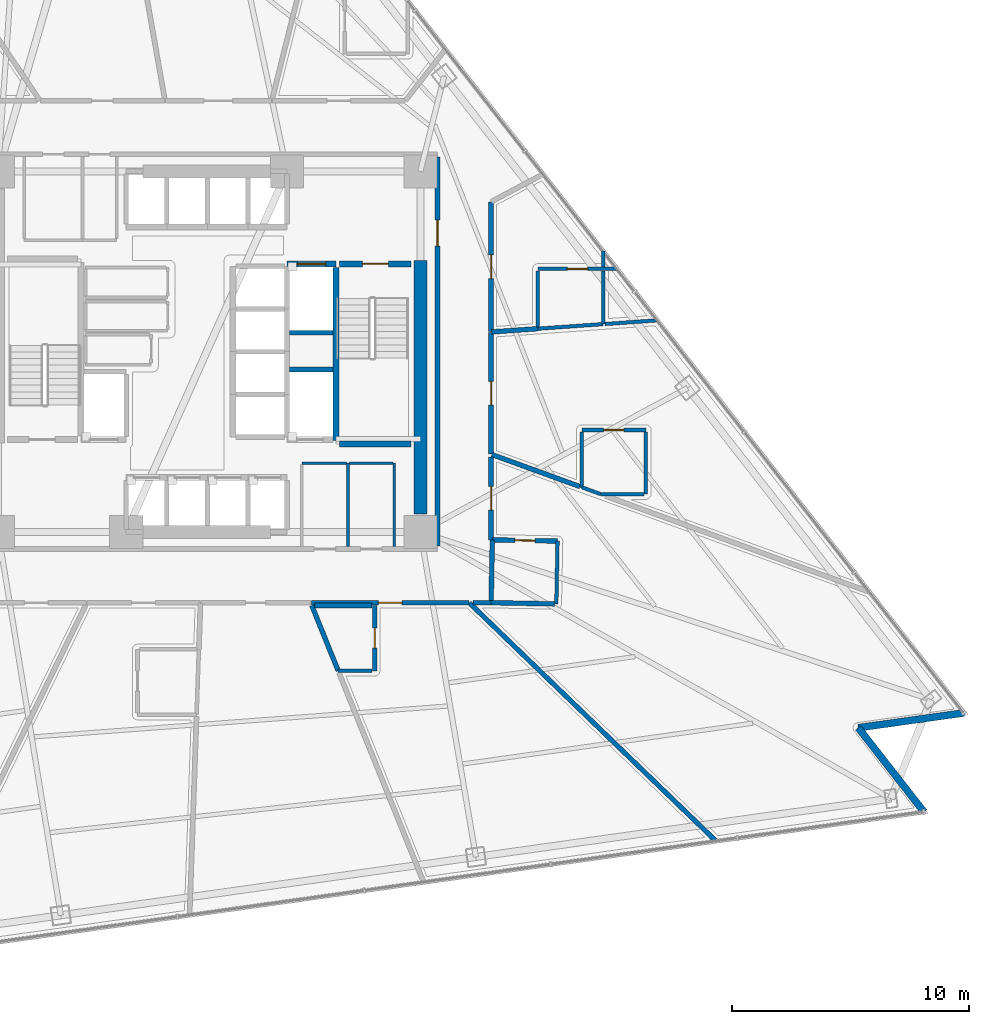
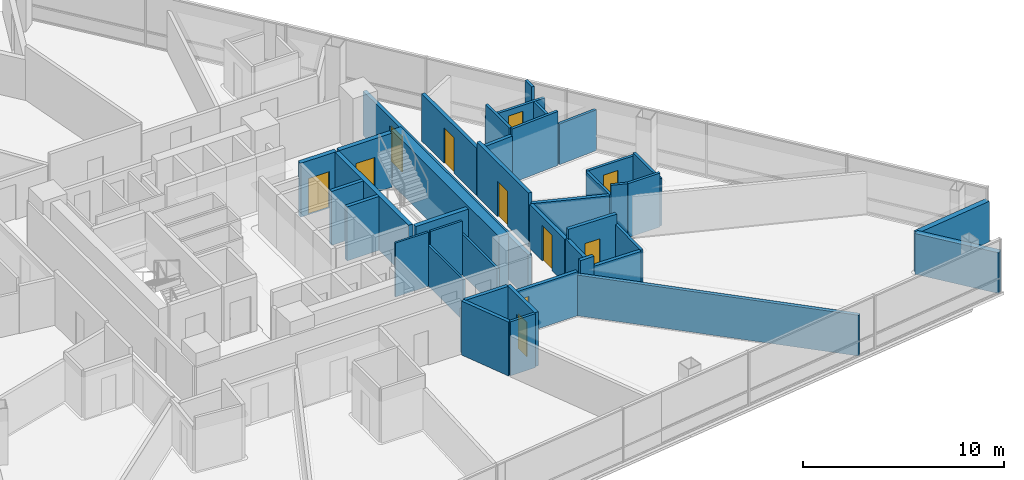
# One storey, part 9 of 16: 41 walls, 11 doors, 11 openings.
"""IFC4 building model written with IfcOpenShell, lengths in metres."""

from ifc_helpers import new_model, si_unit, direction, frame, frame_2d, origin, place, context, subcontext, project, spatial, rectangle, extrude, material, layer, layer_set, type_object, element, fill, save


model = new_model("IFC4")

# Units and contexts
model_context = context("Model", 3, precision=1e-05, world=origin(), true_north=direction((0.0, 1.0)))
body_context = subcontext(model_context, "Body", "Model", "MODEL_VIEW")
ifc_project = project(units=[si_unit("LENGTHUNIT", "METRE"), si_unit("AREAUNIT", "SQUARE_METRE"), si_unit("VOLUMEUNIT", "CUBIC_METRE"), si_unit("PLANEANGLEUNIT", "RADIAN"), si_unit("MASSUNIT", "GRAM", prefix="KILO")], contexts=[model_context])

# Site, building, storey
site_placement = place(None, origin())
site = spatial("IfcSite", under=ifc_project, at=site_placement, CompositionType="ELEMENT")
building_placement = place(site_placement, origin())
building = spatial("IfcBuilding", under=site, at=building_placement, Name="Tharavind Bronze Gate", CompositionType="ELEMENT")
storey_placement = place(building_placement, frame((0.0, 0.0, 70.75)))
storey = spatial("IfcBuildingStorey", under=building, at=storey_placement, Name="L17", CompositionType="ELEMENT", Elevation=70.75)

# Walls
ifc_material_1 = material(Name="Concrete C40/50", Category="concrete")
ifc_layer_1 = layer(ifc_material_1, 0.300048828125)
ifc_layer_set_1 = layer_set([ifc_layer_1], Name="Concrete C40/50")
wall_type_1 = type_object("IfcWallType", Name="EXTERIOR SPANDREL WALL 300", PredefinedType="STANDARD", material=ifc_layer_set_1)
wall_1_placement = place(storey_placement, frame((30.127685546875, -19.399169921875, 0.0), z_axis=(0.0, 0.0, 1.0), x_axis=(-0.615621932091, 0.78804164657, 0.0)))
element("IfcWall", 1, at=wall_1_placement, inside=storey, type_object=wall_type_1, Name="L17 notch cheek wall 3A", PredefinedType="STANDARD", context=body_context, shape_type="SweptSolid", body=[
    extrude(rectangle(XDim=4.5, YDim=0.300048828125, at=frame_2d((2.25, 0.0))), origin(), (0.0, 0.0, 1.0), 2.469970703125),
])
wall_2_placement = place(storey_placement, frame((27.357421875, -15.85302734375, 0.0), z_axis=(0.0, 0.0, 1.0), x_axis=(0.990269200152, 0.139165050317, 0.0)))
element("IfcWall", 2, at=wall_2_placement, inside=storey, type_object=wall_type_1, Name="L17 notch cheek wall 3B", PredefinedType="STANDARD", context=body_context, shape_type="SweptSolid", body=[
    extrude(rectangle(XDim=4.499755859375, YDim=0.300048828125, at=frame_2d((2.25, 0.0))), origin(), (0.0, 0.0, 1.0), 2.469970703125),
])

# Wall, opening, door
ifc_material_2 = material(Name="Aerated Concrete Block", Category="concrete")
ifc_layer_2 = layer(ifc_material_2, 0.199951171875)
ifc_layer_set_2 = layer_set([ifc_layer_2], Name="Aerated Concrete Block")
wall_type_2 = type_object("IfcWallType", Name="FIRE RATED PARTITION 200", PredefinedType="PARTITIONING", material=ifc_layer_set_2)
wall_3_placement = place(storey_placement, frame((9.6201171875, -8.199951171875, 0.0), z_axis=(0.0, 0.0, 1.0), x_axis=(0.0, 1.0, 0.0)))
wall_3 = element("IfcWall", 3, at=wall_3_placement, inside=storey, type_object=wall_type_2, Name="L17 east core corridor wall", PredefinedType="PARTITIONING", context=body_context, shape_type="SweptSolid", body=[
    extrude(rectangle(XDim=16.39990234375, YDim=0.199951171875, at=frame_2d((8.199951171875, 0.0))), origin(), (0.0, 0.0, 1.0), 2.669921875),
])
opening_1_placement = place(wall_3_placement, frame((12.64990234375, 0.0, 0.0)))
opening_1 = element("IfcOpeningElement", 4, at=opening_1_placement, cuts=wall_3, Name="Opening ID01", PredefinedType="OPENING", context=body_context, shape_type="SweptSolid", body=[
    extrude(rectangle(XDim=1.10009765625, YDim=2.14990234375, at=frame_2d((0.550048828125, 1.074951171875))), frame((0.0, 0.11009765625, 0.0), z_axis=(0.0, -1.0, 0.0), x_axis=(1.0, 0.0, 0.0)), (0.0, 0.0, 1.0), 0.219951171875),
])
ifc_material_3 = material(Name="Fire-Rated Steel", Category="steel")
door_type_1 = type_object("IfcDoorType", Name="STAIR CORE FIRE DOOR 1100X2150", OperationType="SINGLE_SWING_LEFT", PredefinedType="DOOR", material=ifc_material_3)
door_1_placement = place(opening_1_placement, frame((1.10009765625, 0.0, 0.0), z_axis=(0.0, 0.0, 1.0), x_axis=(-1.0, 0.0, 0.0)))
door_1 = element("IfcDoor", 5, at=door_1_placement, inside=storey, type_object=door_type_1, Name="L17 north east stair lobby fire door", OperationType="SINGLE_SWING_LEFT", OverallHeight=2.14990234375, OverallWidth=1.10009765625, PredefinedType="DOOR", context=body_context, shape_type="SweptSolid", body=[
    extrude(rectangle(XDim=1.10009765625, YDim=2.14990234375, at=frame_2d((0.550048828125, 1.074951171875))), frame((0.0, 0.02490234375, 0.0), z_axis=(0.0, -1.0, 0.0), x_axis=(1.0, 0.0, 0.0)), (0.0, 0.0, 1.0), 0.050048828125),
])
fill(opening_1, door_1)

wall_4_placement = place(storey_placement, frame((6.97314453125, -10.699951171875, 0.0), z_axis=(0.0, 0.0, 1.0), x_axis=(0.0, -1.0, 0.0)))
wall_4 = element("IfcWall", 6, at=wall_4_placement, inside=storey, type_object=wall_type_2, Name="L17 En-Suite Bathroom partition", PredefinedType="PARTITIONING", context=body_context, shape_type="SweptSolid", body=[
    extrude(rectangle(XDim=2.75, YDim=0.199951171875, at=frame_2d((1.375, 0.0))), origin(), (0.0, 0.0, 1.0), 3.27490234375),
])
opening_2_placement = place(wall_4_placement, frame((0.949951171875, 0.0, 0.0)))
opening_2 = element("IfcOpeningElement", 7, at=opening_2_placement, cuts=wall_4, Name="Opening ID06", PredefinedType="OPENING", context=body_context, shape_type="SweptSolid", body=[
    extrude(rectangle(XDim=0.85009765625, YDim=2.10009765625, at=frame_2d((0.425048828125, 1.050048828125))), frame((0.0, 0.11009765625, 0.0), z_axis=(0.0, -1.0, 0.0), x_axis=(1.0, 0.0, 0.0)), (0.0, 0.0, 1.0), 0.219951171875),
])
ifc_material_4 = material(Name="Moisture-Resistant Timber", Category="wood")
door_type_2 = type_object("IfcDoorType", Name="BATHROOM PRIVACY DOOR 850X2100", OperationType="SINGLE_SWING_RIGHT", PredefinedType="DOOR", material=ifc_material_4)
door_2_placement = place(opening_2_placement, origin())
door_2 = element("IfcDoor", 8, at=door_2_placement, inside=storey, type_object=door_type_2, Name="L17 En-Suite Bathroom door", OperationType="SINGLE_SWING_RIGHT", OverallHeight=2.10009765625, OverallWidth=0.85009765625, PredefinedType="DOOR", context=body_context, shape_type="SweptSolid", body=[
    extrude(rectangle(XDim=0.85009765625, YDim=2.10009765625, at=frame_2d((0.425048828125, 1.050048828125))), frame((0.0, 0.02490234375, 0.0), z_axis=(0.0, -1.0, 0.0), x_axis=(1.0, 0.0, 0.0)), (0.0, 0.0, 1.0), 0.050048828125),
])
fill(opening_2, door_2)

# Walls
wall_5_placement = place(storey_placement, frame((5.43408203125, -13.449951171875, 0.0), z_axis=(0.0, 0.0, 1.0), x_axis=(-0.374610031927, 0.927182465311, 0.0)))
element("IfcWall", 9, at=wall_5_placement, inside=storey, type_object=wall_type_2, Name="L17 En-Suite Bathroom partition", PredefinedType="PARTITIONING", context=body_context, shape_type="SweptSolid", body=[
    extrude(rectangle(XDim=2.966064453125, YDim=0.199951171875, at=frame_2d((1.48291015625, 0.0))), origin(), (0.0, 0.0, 1.0), 3.27490234375),
])
wall_6_placement = place(storey_placement, frame((4.436279296875, -10.699951171875, 0.0), z_axis=(0.0, 0.0, 1.0), x_axis=(1.0, 0.0, 0.0)))
element("IfcWall", 10, at=wall_6_placement, inside=storey, type_object=wall_type_2, Name="L17 En-Suite Bathroom partition", PredefinedType="PARTITIONING", context=body_context, shape_type="SweptSolid", body=[
    extrude(rectangle(XDim=2.431884765625, YDim=0.199951171875, at=frame_2d((1.2158203125, 0.0))), origin(), (0.0, 0.0, 1.0), 3.27490234375),
])

# Wall, opening, door
wall_7_placement = place(storey_placement, frame((11.93115234375, -7.930419921875, 0.0), z_axis=(0.0, 0.0, 1.0), x_axis=(0.999812703389, -0.019353504647, 0.0)))
wall_7 = element("IfcWall", 11, at=wall_7_placement, inside=storey, type_object=wall_type_2, Name="L17 En-Suite Bathroom partition", PredefinedType="PARTITIONING", context=body_context, shape_type="SweptSolid", body=[
    extrude(rectangle(XDim=2.75, YDim=0.199951171875, at=frame_2d((1.375, 0.0))), origin(), (0.0, 0.0, 1.0), 3.27490234375),
])
opening_3_placement = place(wall_7_placement, frame((0.949951171875, 0.0, 0.0)))
opening_3 = element("IfcOpeningElement", 12, at=opening_3_placement, cuts=wall_7, Name="Opening ID06", PredefinedType="OPENING", context=body_context, shape_type="SweptSolid", body=[
    extrude(rectangle(XDim=0.85009765625, YDim=2.10009765625, at=frame_2d((0.425048828125, 1.050048828125))), frame((0.0, 0.11009765625, 0.0), z_axis=(0.0, -1.0, 0.0), x_axis=(1.0, 0.0, 0.0)), (0.0, 0.0, 1.0), 0.219951171875),
])
door_3_placement = place(opening_3_placement, origin())
door_3 = element("IfcDoor", 13, at=door_3_placement, inside=storey, type_object=door_type_2, Name="L17 En-Suite Bathroom door", OperationType="SINGLE_SWING_RIGHT", OverallHeight=2.10009765625, OverallWidth=0.85009765625, PredefinedType="DOOR", context=body_context, shape_type="SweptSolid", body=[
    extrude(rectangle(XDim=0.85009765625, YDim=2.10009765625, at=frame_2d((0.425048828125, 1.050048828125))), frame((0.0, 0.02490234375, 0.0), z_axis=(0.0, -1.0, 0.0), x_axis=(1.0, 0.0, 0.0)), (0.0, 0.0, 1.0), 0.050048828125),
])
fill(opening_3, door_3)

# Walls
wall_8_placement = place(storey_placement, frame((14.549560546875, -10.631591796875, 0.0), z_axis=(0.0, 0.0, 1.0), x_axis=(-0.999813887268, 0.019292247848, 0.0)))
element("IfcWall", 14, at=wall_8_placement, inside=storey, type_object=wall_type_2, Name="L17 En-Suite Bathroom partition", PredefinedType="PARTITIONING", context=body_context, shape_type="SweptSolid", body=[
    extrude(rectangle(XDim=2.670166015625, YDim=0.199951171875, at=frame_2d((1.3349609375, 0.0))), origin(), (0.0, 0.0, 1.0), 2.669921875),
])
wall_9_placement = place(storey_placement, frame((11.8798828125, -10.57861328125, 0.0), z_axis=(0.0, 0.0, 1.0), x_axis=(0.019356564513, 0.999812644154, 0.0)))
element("IfcWall", 15, at=wall_9_placement, inside=storey, type_object=wall_type_2, Name="L17 En-Suite Bathroom partition", PredefinedType="PARTITIONING", context=body_context, shape_type="SweptSolid", body=[
    extrude(rectangle(XDim=2.648681640625, YDim=0.199951171875, at=frame_2d((1.32421875, 0.0))), origin(), (0.0, 0.0, 1.0), 2.669921875),
])
wall_10_placement = place(storey_placement, frame((13.85009765625, 0.968505859375, 0.0), z_axis=(0.0, 0.0, 1.0), x_axis=(-0.997560712778, -0.069804185555, 0.0)))
element("IfcWall", 16, at=wall_10_placement, inside=storey, type_object=wall_type_2, Name="L17 Royal Hotel Suite partition", PredefinedType="PARTITIONING", context=body_context, shape_type="SweptSolid", body=[
    extrude(rectangle(XDim=1.947998046875, YDim=0.199951171875, at=frame_2d((0.97412109375, 0.0))), origin(), (0.0, 0.0, 1.0), 2.8701171875),
])

# Wall, opening, door
wall_11_placement = place(storey_placement, frame((11.8798828125, 0.857421875, 0.0), z_axis=(0.0, 0.0, 1.0), x_axis=(0.0, 1.0, 0.0)))
wall_11 = element("IfcWall", 17, at=wall_11_placement, inside=storey, type_object=wall_type_2, Name="L17 Royal Hotel Suite partition", PredefinedType="PARTITIONING", context=body_context, shape_type="SweptSolid", body=[
    extrude(rectangle(XDim=5.4443359375, YDim=0.199951171875, at=frame_2d((2.72216796875, 0.0))), origin(), (0.0, 0.0, 1.0), 2.8701171875),
])
opening_4_placement = place(wall_11_placement, frame((2.221923828125, 0.0, 0.0)))
opening_4 = element("IfcOpeningElement", 18, at=opening_4_placement, cuts=wall_11, Name="Opening ID03", PredefinedType="OPENING", context=body_context, shape_type="SweptSolid", body=[
    extrude(rectangle(XDim=1.0, YDim=2.14990234375, at=frame_2d((0.5, 1.074951171875))), frame((0.0, 0.11009765625, 0.0), z_axis=(0.0, -1.0, 0.0), x_axis=(1.0, 0.0, 0.0)), (0.0, 0.0, 1.0), 0.219951171875),
])
ifc_material_5 = material(Name="Solid Timber Veneer", Category="wood")
door_type_3 = type_object("IfcDoorType", Name="HOTEL SUITE ENTRANCE DOOR 1000X2150", OperationType="SINGLE_SWING_LEFT", PredefinedType="DOOR", material=ifc_material_5)
door_4_placement = place(opening_4_placement, origin())
door_4 = element("IfcDoor", 19, at=door_4_placement, inside=storey, type_object=door_type_3, Name="L17 Royal Hotel Suite door", OperationType="SINGLE_SWING_LEFT", OverallHeight=2.14990234375, OverallWidth=1.0, PredefinedType="DOOR", context=body_context, shape_type="SweptSolid", body=[
    extrude(rectangle(XDim=1.0, YDim=2.14990234375, at=frame_2d((0.5, 1.074951171875))), frame((0.0, 0.02490234375, 0.0), z_axis=(0.0, -1.0, 0.0), x_axis=(1.0, 0.0, 0.0)), (0.0, 0.0, 1.0), 0.050048828125),
])
fill(opening_4, door_4)

wall_12_placement = place(storey_placement, frame((4.311767578125, -10.580078125, 0.0), z_axis=(0.0, 0.0, 1.0), x_axis=(1.0, 0.0, 0.0)))
wall_12 = element("IfcWall", 20, at=wall_12_placement, inside=storey, type_object=wall_type_2, Name="L17 Corner Hotel Suite partition", PredefinedType="PARTITIONING", context=body_context, shape_type="SweptSolid", body=[
    extrude(rectangle(XDim=6.634033203125, YDim=0.199951171875, at=frame_2d((3.31689453125, 0.0))), origin(), (0.0, 0.0, 1.0), 2.669921875),
])
opening_5_placement = place(wall_12_placement, frame((2.81689453125, 0.0, 0.0)))
opening_5 = element("IfcOpeningElement", 21, at=opening_5_placement, cuts=wall_12, Name="Opening ID03", PredefinedType="OPENING", context=body_context, shape_type="SweptSolid", body=[
    extrude(rectangle(XDim=1.0, YDim=2.14990234375, at=frame_2d((0.5, 1.074951171875))), frame((0.0, 0.11009765625, 0.0), z_axis=(0.0, -1.0, 0.0), x_axis=(1.0, 0.0, 0.0)), (0.0, 0.0, 1.0), 0.219951171875),
])
door_5_placement = place(opening_5_placement, origin())
door_5 = element("IfcDoor", 22, at=door_5_placement, inside=storey, type_object=door_type_3, Name="L17 Corner Hotel Suite door", OperationType="SINGLE_SWING_LEFT", OverallHeight=2.14990234375, OverallWidth=1.0, PredefinedType="DOOR", context=body_context, shape_type="SweptSolid", body=[
    extrude(rectangle(XDim=1.0, YDim=2.14990234375, at=frame_2d((0.5, 1.074951171875))), frame((0.0, 0.02490234375, 0.0), z_axis=(0.0, -1.0, 0.0), x_axis=(1.0, 0.0, 0.0)), (0.0, 0.0, 1.0), 0.050048828125),
])
fill(opening_5, door_5)

# Walls
wall_13_placement = place(storey_placement, frame((10.963134765625, -10.5869140625, 0.0), z_axis=(0.0, 0.0, 1.0), x_axis=(0.719333957275, -0.694664421077, 0.0)))
element("IfcWall", 23, at=wall_13_placement, inside=storey, type_object=wall_type_2, Name="L17 Corner Hotel Suite partition", PredefinedType="PARTITIONING", context=body_context, shape_type="SweptSolid", body=[
    extrude(rectangle(XDim=14.458740234375, YDim=0.199951171875, at=frame_2d((7.2294921875, 0.0))), origin(), (0.0, 0.0, 1.0), 2.469970703125),
])
wall_14_placement = place(storey_placement, frame((11.91357421875, -4.336181640625, 0.0), z_axis=(0.0, 0.0, 1.0), x_axis=(0.939701284088, -0.341996340161, 0.0)))
element("IfcWall", 24, at=wall_14_placement, inside=storey, type_object=wall_type_2, Name="L17 Deluxe Hotel Suite partition", PredefinedType="PARTITIONING", context=body_context, shape_type="SweptSolid", body=[
    extrude(rectangle(XDim=3.947021484375, YDim=0.199951171875, at=frame_2d((1.9736328125, 0.0))), origin(), (0.0, 0.0, 1.0), 2.669921875),
])
wall_15_placement = place(storey_placement, frame((11.107177734375, -10.580078125, 0.0), z_axis=(0.0, 0.0, 1.0), x_axis=(1.0, 0.0, 0.0)))
element("IfcWall", 25, at=wall_15_placement, inside=storey, type_object=wall_type_2, Name="L17 Deluxe Hotel Suite partition", PredefinedType="PARTITIONING", context=body_context, shape_type="SweptSolid", body=[
    extrude(rectangle(XDim=0.772216796875, YDim=0.199951171875, at=frame_2d((0.38623046875, 0.0))), origin(), (0.0, 0.0, 1.0), 3.27490234375),
])

# Wall, opening, door
wall_16_placement = place(storey_placement, frame((11.8798828125, -7.929443359375, 0.0), z_axis=(0.0, 0.0, 1.0), x_axis=(0.0, 1.0, 0.0)))
wall_16 = element("IfcWall", 26, at=wall_16_placement, inside=storey, type_object=wall_type_2, Name="L17 Deluxe Hotel Suite partition", PredefinedType="PARTITIONING", context=body_context, shape_type="SweptSolid", body=[
    extrude(rectangle(XDim=3.49365234375, YDim=0.199951171875, at=frame_2d((1.746826171875, 0.0))), origin(), (0.0, 0.0, 1.0), 2.669921875),
])
opening_6_placement = place(wall_16_placement, frame((1.2470703125, 0.0, 0.0)))
opening_6 = element("IfcOpeningElement", 27, at=opening_6_placement, cuts=wall_16, Name="Opening ID03", PredefinedType="OPENING", context=body_context, shape_type="SweptSolid", body=[
    extrude(rectangle(XDim=1.0, YDim=2.14990234375, at=frame_2d((0.5, 1.074951171875))), frame((0.0, 0.11009765625, 0.0), z_axis=(0.0, -1.0, 0.0), x_axis=(1.0, 0.0, 0.0)), (0.0, 0.0, 1.0), 0.219951171875),
])
door_6_placement = place(opening_6_placement, origin())
door_6 = element("IfcDoor", 28, at=door_6_placement, inside=storey, type_object=door_type_3, Name="L17 Deluxe Hotel Suite door", OperationType="SINGLE_SWING_LEFT", OverallHeight=2.14990234375, OverallWidth=1.0, PredefinedType="DOOR", context=body_context, shape_type="SweptSolid", body=[
    extrude(rectangle(XDim=1.0, YDim=2.14990234375, at=frame_2d((0.5, 1.074951171875))), frame((0.0, 0.02490234375, 0.0), z_axis=(0.0, -1.0, 0.0), x_axis=(1.0, 0.0, 0.0)), (0.0, 0.0, 1.0), 0.050048828125),
])
fill(opening_6, door_6)

wall_17_placement = place(storey_placement, frame((11.8798828125, -4.306396484375, 0.0), z_axis=(0.0, 0.0, 1.0), x_axis=(0.0, 1.0, 0.0)))
wall_17 = element("IfcWall", 29, at=wall_17_placement, inside=storey, type_object=wall_type_2, Name="L17 Deluxe Hotel Suite partition", PredefinedType="PARTITIONING", context=body_context, shape_type="SweptSolid", body=[
    extrude(rectangle(XDim=5.11376953125, YDim=0.199951171875, at=frame_2d((2.556884765625, 0.0))), origin(), (0.0, 0.0, 1.0), 3.27490234375),
])
opening_7_placement = place(wall_17_placement, frame((2.056884765625, 0.0, 0.0)))
opening_7 = element("IfcOpeningElement", 30, at=opening_7_placement, cuts=wall_17, Name="Opening ID03", PredefinedType="OPENING", context=body_context, shape_type="SweptSolid", body=[
    extrude(rectangle(XDim=1.0, YDim=2.14990234375, at=frame_2d((0.5, 1.074951171875))), frame((0.0, 0.11009765625, 0.0), z_axis=(0.0, -1.0, 0.0), x_axis=(1.0, 0.0, 0.0)), (0.0, 0.0, 1.0), 0.219951171875),
])
door_7_placement = place(opening_7_placement, origin())
door_7 = element("IfcDoor", 31, at=door_7_placement, inside=storey, type_object=door_type_3, Name="L17 Deluxe Hotel Suite door", OperationType="SINGLE_SWING_LEFT", OverallHeight=2.14990234375, OverallWidth=1.0, PredefinedType="DOOR", context=body_context, shape_type="SweptSolid", body=[
    extrude(rectangle(XDim=1.0, YDim=2.14990234375, at=frame_2d((0.5, 1.074951171875))), frame((0.0, 0.02490234375, 0.0), z_axis=(0.0, -1.0, 0.0), x_axis=(1.0, 0.0, 0.0)), (0.0, 0.0, 1.0), 0.050048828125),
])
fill(opening_7, door_7)

# Walls
ifc_material_6 = material(Name="Metal Stud Gypsum Partition", Category="gypsum")
ifc_layer_3 = layer(ifc_material_6, 0.1201171875)
ifc_layer_set_3 = layer_set([ifc_layer_3], Name="Metal Stud Gypsum Partition")
wall_type_3 = type_object("IfcWallType", Name="INTERIOR PARTITION WALL 120", PredefinedType="PARTITIONING", material=ifc_layer_set_3)
wall_18_placement = place(storey_placement, frame((5.85009765625, -8.215087890625, 0.0), z_axis=(0.0, 0.0, 1.0), x_axis=(0.0, 1.0, 0.0)))
element("IfcWall", 32, at=wall_18_placement, inside=storey, type_object=wall_type_3, Name="L17 Comms Patch Room partition 2", PredefinedType="PARTITIONING", context=body_context, shape_type="SweptSolid", body=[
    extrude(rectangle(XDim=3.51513671875, YDim=0.1201171875, at=frame_2d((1.757568359375, 0.0))), origin(), (0.0, 0.0, 1.0), 2.469970703125),
])
wall_19_placement = place(storey_placement, frame((5.784912109375, -4.699951171875, 0.0), z_axis=(0.0, 0.0, 1.0), x_axis=(-1.0, 0.0, 0.0)))
element("IfcWall", 33, at=wall_19_placement, inside=storey, type_object=wall_type_3, Name="L17 Comms Patch Room partition 3", PredefinedType="PARTITIONING", context=body_context, shape_type="SweptSolid", body=[
    extrude(rectangle(XDim=1.885009765625, YDim=0.1201171875, at=frame_2d((0.9423828125, 0.0))), origin(), (0.0, 0.0, 1.0), 3.27490234375),
])
wall_20_placement = place(storey_placement, frame((7.800048828125, -8.215087890625, 0.0), z_axis=(0.0, 0.0, 1.0), x_axis=(0.0, 1.0, 0.0)))
element("IfcWall", 34, at=wall_20_placement, inside=storey, type_object=wall_type_3, Name="L17 Housekeeping Store partition 2", PredefinedType="PARTITIONING", context=body_context, shape_type="SweptSolid", body=[
    extrude(rectangle(XDim=3.51513671875, YDim=0.1201171875, at=frame_2d((1.757568359375, 0.0))), origin(), (0.0, 0.0, 1.0), 2.469970703125),
])
wall_21_placement = place(storey_placement, frame((7.735107421875, -4.699951171875, 0.0), z_axis=(0.0, 0.0, 1.0), x_axis=(-1.0, 0.0, 0.0)))
element("IfcWall", 35, at=wall_21_placement, inside=storey, type_object=wall_type_3, Name="L17 Housekeeping Store partition 3", PredefinedType="PARTITIONING", context=body_context, shape_type="SweptSolid", body=[
    extrude(rectangle(XDim=1.820068359375, YDim=0.1201171875, at=frame_2d((0.91015625, 0.0))), origin(), (0.0, 0.0, 1.0), 3.27490234375),
])

# Wall, opening, door
ifc_material_7 = material(Name="Twin Stud Acoustic Gypsum", Category="gypsum")
ifc_layer_4 = layer(ifc_material_7, 0.14990234375)
ifc_layer_set_4 = layer_set([ifc_layer_4], Name="Twin Stud Acoustic Gypsum")
wall_type_4 = type_object("IfcWallType", Name="INTERIOR PARTITION WALL 150", PredefinedType="PARTITIONING", material=ifc_layer_set_4)
wall_22_placement = place(storey_placement, frame((13.85009765625, 3.489013671875, 0.0), z_axis=(0.0, 0.0, 1.0), x_axis=(1.0, 0.0, 0.0)))
wall_22 = element("IfcWall", 36, at=wall_22_placement, inside=storey, type_object=wall_type_4, Name="L17 En-Suite Bathroom partition", PredefinedType="PARTITIONING", context=body_context, shape_type="SweptSolid", body=[
    extrude(rectangle(XDim=3.3408203125, YDim=0.14990234375, at=frame_2d((1.67041015625, 0.0))), origin(), (0.0, 0.0, 1.0), 2.469970703125),
])
opening_8_placement = place(wall_22_placement, frame((1.2451171875, 0.0, 0.0)))
opening_8 = element("IfcOpeningElement", 37, at=opening_8_placement, cuts=wall_22, Name="Opening ID06", PredefinedType="OPENING", context=body_context, shape_type="SweptSolid", body=[
    extrude(rectangle(XDim=0.85009765625, YDim=2.10009765625, at=frame_2d((0.425048828125, 1.050048828125))), frame((0.0, 0.084951171875, 0.0), z_axis=(0.0, -1.0, 0.0), x_axis=(1.0, 0.0, 0.0)), (0.0, 0.0, 1.0), 0.16990234375),
])
door_8_placement = place(opening_8_placement, origin())
door_8 = element("IfcDoor", 38, at=door_8_placement, inside=storey, type_object=door_type_2, Name="L17 En-Suite Bathroom door", OperationType="SINGLE_SWING_RIGHT", OverallHeight=2.10009765625, OverallWidth=0.85009765625, PredefinedType="DOOR", context=body_context, shape_type="SweptSolid", body=[
    extrude(rectangle(XDim=0.85009765625, YDim=2.10009765625, at=frame_2d((0.425048828125, 1.050048828125))), frame((0.0, 0.02490234375, 0.0), z_axis=(0.0, -1.0, 0.0), x_axis=(1.0, 0.0, 0.0)), (0.0, 0.0, 1.0), 0.050048828125),
])
fill(opening_8, door_8)

# Walls
wall_23_placement = place(storey_placement, frame((16.60009765625, 4.24560546875, 0.0), z_axis=(0.0, 0.0, 1.0), x_axis=(0.0, -1.0, 0.0)))
element("IfcWall", 39, at=wall_23_placement, inside=storey, type_object=wall_type_4, Name="L17 En-Suite Bathroom partition", PredefinedType="PARTITIONING", context=body_context, shape_type="SweptSolid", body=[
    extrude(rectangle(XDim=0.676513671875, YDim=0.14990234375, at=frame_2d((0.33837890625, 0.0))), origin(), (0.0, 0.0, 1.0), 3.27490234375),
])
wall_24_placement = place(storey_placement, frame((16.60009765625, 3.4091796875, 0.0), z_axis=(0.0, 0.0, 1.0), x_axis=(0.0, -1.0, 0.0)))
element("IfcWall", 40, at=wall_24_placement, inside=storey, type_object=wall_type_4, Name="L17 En-Suite Bathroom partition", PredefinedType="PARTITIONING", context=body_context, shape_type="SweptSolid", body=[
    extrude(rectangle(XDim=2.248291015625, YDim=0.14990234375, at=frame_2d((1.1240234375, 0.0))), origin(), (0.0, 0.0, 1.0), 2.469970703125),
])
wall_25_placement = place(storey_placement, frame((16.60009765625, 1.160888671875, 0.0), z_axis=(0.0, 0.0, 1.0), x_axis=(-0.997561927417, -0.069786825178, 0.0)))
element("IfcWall", 41, at=wall_25_placement, inside=storey, type_object=wall_type_4, Name="L17 En-Suite Bathroom partition", PredefinedType="PARTITIONING", context=body_context, shape_type="SweptSolid", body=[
    extrude(rectangle(XDim=2.7568359375, YDim=0.14990234375, at=frame_2d((1.37841796875, 0.0))), origin(), (0.0, 0.0, 1.0), 3.27490234375),
])
wall_26_placement = place(storey_placement, frame((13.85009765625, 1.048583984375, 0.0), z_axis=(0.0, 0.0, 1.0), x_axis=(0.0, 1.0, 0.0)))
element("IfcWall", 42, at=wall_26_placement, inside=storey, type_object=wall_type_4, Name="L17 En-Suite Bathroom partition", PredefinedType="PARTITIONING", context=body_context, shape_type="SweptSolid", body=[
    extrude(rectangle(XDim=2.360595703125, YDim=0.14990234375, at=frame_2d((1.18017578125, 0.0))), origin(), (0.0, 0.0, 1.0), 3.27490234375),
])
wall_27_placement = place(storey_placement, frame((6.8681640625, -13.449951171875, 0.0), z_axis=(0.0, 0.0, 1.0), x_axis=(-1.0, 0.0, 0.0)))
element("IfcWall", 43, at=wall_27_placement, inside=storey, type_object=wall_type_4, Name="L17 En-Suite Bathroom partition", PredefinedType="PARTITIONING", context=body_context, shape_type="SweptSolid", body=[
    extrude(rectangle(XDim=1.43408203125, YDim=0.14990234375, at=frame_2d((0.717041015625, 0.0))), origin(), (0.0, 0.0, 1.0), 3.27490234375),
])
wall_28_placement = place(storey_placement, frame((14.6806640625, -7.983642578125, 0.0), z_axis=(0.0, 0.0, 1.0), x_axis=(-0.01934764942, -0.999812816712, 0.0)))
element("IfcWall", 44, at=wall_28_placement, inside=storey, type_object=wall_type_4, Name="L17 En-Suite Bathroom partition", PredefinedType="PARTITIONING", context=body_context, shape_type="SweptSolid", body=[
    extrude(rectangle(XDim=2.64990234375, YDim=0.14990234375, at=frame_2d((1.324951171875, 0.0))), origin(), (0.0, 0.0, 1.0), 2.669921875),
])

# Wall, opening, door
wall_29_placement = place(storey_placement, frame((15.702392578125, -3.302001953125, 0.0), z_axis=(0.0, 0.0, 1.0), x_axis=(1.0, 0.0, 0.0)))
wall_29 = element("IfcWall", 45, at=wall_29_placement, inside=storey, type_object=wall_type_4, Name="L17 En-Suite Bathroom partition", PredefinedType="PARTITIONING", context=body_context, shape_type="SweptSolid", body=[
    extrude(rectangle(XDim=2.7001953125, YDim=0.14990234375, at=frame_2d((1.35009765625, 0.0))), origin(), (0.0, 0.0, 1.0), 2.669921875),
])
opening_9_placement = place(wall_29_placement, frame((0.925048828125, 0.0, 0.0)))
opening_9 = element("IfcOpeningElement", 46, at=opening_9_placement, cuts=wall_29, Name="Opening ID06", PredefinedType="OPENING", context=body_context, shape_type="SweptSolid", body=[
    extrude(rectangle(XDim=0.85009765625, YDim=2.10009765625, at=frame_2d((0.425048828125, 1.050048828125))), frame((0.0, 0.084951171875, 0.0), z_axis=(0.0, -1.0, 0.0), x_axis=(1.0, 0.0, 0.0)), (0.0, 0.0, 1.0), 0.16990234375),
])
door_9_placement = place(opening_9_placement, origin())
door_9 = element("IfcDoor", 47, at=door_9_placement, inside=storey, type_object=door_type_2, Name="L17 En-Suite Bathroom door", OperationType="SINGLE_SWING_RIGHT", OverallHeight=2.10009765625, OverallWidth=0.85009765625, PredefinedType="DOOR", context=body_context, shape_type="SweptSolid", body=[
    extrude(rectangle(XDim=0.85009765625, YDim=2.10009765625, at=frame_2d((0.425048828125, 1.050048828125))), frame((0.0, 0.02490234375, 0.0), z_axis=(0.0, -1.0, 0.0), x_axis=(1.0, 0.0, 0.0)), (0.0, 0.0, 1.0), 0.050048828125),
])
fill(opening_9, door_9)

# Walls
wall_30_placement = place(storey_placement, frame((18.402587890625, -3.382080078125, 0.0), z_axis=(0.0, 0.0, 1.0), x_axis=(0.0, -1.0, 0.0)))
element("IfcWall", 48, at=wall_30_placement, inside=storey, type_object=wall_type_4, Name="L17 En-Suite Bathroom partition", PredefinedType="PARTITIONING", context=body_context, shape_type="SweptSolid", body=[
    extrude(rectangle(XDim=2.619873046875, YDim=0.14990234375, at=frame_2d((1.31005859375, 0.0))), origin(), (0.0, 0.0, 1.0), 2.8701171875),
])
wall_31_placement = place(storey_placement, frame((18.322509765625, -6.001953125, 0.0), z_axis=(0.0, 0.0, 1.0), x_axis=(-1.0, 0.0, 0.0)))
element("IfcWall", 49, at=wall_31_placement, inside=storey, type_object=wall_type_4, Name="L17 En-Suite Bathroom partition", PredefinedType="PARTITIONING", context=body_context, shape_type="SweptSolid", body=[
    extrude(rectangle(XDim=1.83203125, YDim=0.14990234375, at=frame_2d((0.916015625, 0.0))), origin(), (0.0, 0.0, 1.0), 3.27490234375),
])
wall_32_placement = place(storey_placement, frame((16.490478515625, -6.001953125, 0.0), z_axis=(0.0, 0.0, 1.0), x_axis=(-0.939682882436, 0.342046898037, 0.0)))
element("IfcWall", 50, at=wall_32_placement, inside=storey, type_object=wall_type_4, Name="L17 En-Suite Bathroom partition", PredefinedType="PARTITIONING", context=body_context, shape_type="SweptSolid", body=[
    extrude(rectangle(XDim=0.838623046875, YDim=0.14990234375, at=frame_2d((0.41943359375, 0.0))), origin(), (0.0, 0.0, 1.0), 3.27490234375),
])
wall_33_placement = place(storey_placement, frame((15.702392578125, -5.715087890625, 0.0), z_axis=(0.0, 0.0, 1.0), x_axis=(0.0, 1.0, 0.0)))
element("IfcWall", 51, at=wall_33_placement, inside=storey, type_object=wall_type_4, Name="L17 En-Suite Bathroom partition", PredefinedType="PARTITIONING", context=body_context, shape_type="SweptSolid", body=[
    extrude(rectangle(XDim=2.3330078125, YDim=0.14990234375, at=frame_2d((1.16650390625, 0.0))), origin(), (0.0, 0.0, 1.0), 2.669921875),
])
wall_34_placement = place(storey_placement, frame((18.88525390625, 1.320556640625, 0.0), z_axis=(0.0, 0.0, 1.0), x_axis=(-0.997569034361, -0.069685161152, 0.0)))
element("IfcWall", 52, at=wall_34_placement, inside=storey, type_object=wall_type_4, Name="L17 Royal Hotel Suite partition", PredefinedType="PARTITIONING", context=body_context, shape_type="SweptSolid", body=[
    extrude(rectangle(XDim=2.210693359375, YDim=0.14990234375, at=frame_2d((1.10546875, 0.0))), origin(), (0.0, 0.0, 1.0), 2.469970703125),
])
ifc_material_8 = material(Name="Concrete C50/60", Category="concrete")
ifc_layer_5 = layer(ifc_material_8, 0.25)
ifc_layer_set_5 = layer_set([ifc_layer_5], Name="Concrete C50/60")
wall_type_5 = type_object("IfcWallType", Name="RC CORE SHEAR WALL 250", PredefinedType="SHEAR", material=ifc_layer_set_5)
wall_35_placement = place(storey_placement, frame((5.35009765625, -3.75, 0.0), z_axis=(0.0, 0.0, 1.0), x_axis=(0.0, 1.0, 0.0)))
element("IfcWall", 53, at=wall_35_placement, inside=storey, type_object=wall_type_5, Name="L17 ST2 shaft west wall", PredefinedType="SHEAR", context=body_context, shape_type="SweptSolid", body=[
    extrude(rectangle(XDim=7.300048828125, YDim=0.25, at=frame_2d((3.64990234375, 0.0))), origin(), (0.0, 0.0, 1.0), 3.27490234375),
])

# Wall, opening, door
wall_36_placement = place(storey_placement, frame((5.5, 3.699951171875, 0.0), z_axis=(0.0, 0.0, 1.0), x_axis=(1.0, 0.0, 0.0)))
wall_36 = element("IfcWall", 54, at=wall_36_placement, inside=storey, type_object=wall_type_5, Name="L17 ST2 shaft north wall", PredefinedType="SHEAR", context=body_context, shape_type="SweptSolid", body=[
    extrude(rectangle(XDim=3.0, YDim=0.25, at=frame_2d((1.5, 0.0))), origin(), (0.0, 0.0, 1.0), 3.27490234375),
])
opening_10_placement = place(wall_36_placement, frame((0.949951171875, 0.0, 0.0)))
opening_10 = element("IfcOpeningElement", 55, at=opening_10_placement, cuts=wall_36, Name="Opening ID01", PredefinedType="OPENING", context=body_context, shape_type="SweptSolid", body=[
    extrude(rectangle(XDim=1.10009765625, YDim=2.14990234375, at=frame_2d((0.550048828125, 1.074951171875))), frame((0.0, 0.135, 0.0), z_axis=(0.0, -1.0, 0.0), x_axis=(1.0, 0.0, 0.0)), (0.0, 0.0, 1.0), 0.27),
])
door_10_placement = place(opening_10_placement, frame((1.10009765625, 0.0, 0.0), z_axis=(0.0, 0.0, 1.0), x_axis=(-1.0, 0.0, 0.0)))
door_10 = element("IfcDoor", 56, at=door_10_placement, inside=storey, type_object=door_type_1, Name="L17 exit stair ST2 fire door", OperationType="SINGLE_SWING_LEFT", OverallHeight=2.14990234375, OverallWidth=1.10009765625, PredefinedType="DOOR", context=body_context, shape_type="SweptSolid", body=[
    extrude(rectangle(XDim=1.10009765625, YDim=2.14990234375, at=frame_2d((0.550048828125, 1.074951171875))), frame((0.0, 0.02490234375, 0.0), z_axis=(0.0, -1.0, 0.0), x_axis=(1.0, 0.0, 0.0)), (0.0, 0.0, 1.0), 0.050048828125),
])
fill(opening_10, door_10)

# Wall
wall_37_placement = place(storey_placement, frame((5.5, -3.89990234375, 0.0), z_axis=(0.0, 0.0, 1.0), x_axis=(1.0, 0.0, 0.0)))
element("IfcWall", 57, at=wall_37_placement, inside=storey, type_object=wall_type_5, Name="L17 ST2 shaft south wall", PredefinedType="SHEAR", context=body_context, shape_type="SweptSolid", body=[
    extrude(rectangle(XDim=3.0, YDim=0.25, at=frame_2d((1.5, 0.0))), origin(), (0.0, 0.0, 1.0), 3.27490234375),
])

# Wall, opening, door
wall_38_placement = place(storey_placement, frame((3.280029296875, 3.699951171875, 0.0), z_axis=(0.0, 0.0, 1.0), x_axis=(1.0, 0.0, 0.0)))
wall_38 = element("IfcWall", 58, at=wall_38_placement, inside=storey, type_object=wall_type_5, Name="L17 lift FFL2 shaft front wall", PredefinedType="SHEAR", context=body_context, shape_type="SweptSolid", body=[
    extrude(rectangle(XDim=2.070068359375, YDim=0.25, at=frame_2d((1.03515625, 0.0))), origin(), (0.0, 0.0, 1.0), 3.27490234375),
])
opening_11_placement = place(wall_38_placement, frame((0.43505859375, 0.0, 0.0)))
opening_11 = element("IfcOpeningElement", 59, at=opening_11_placement, cuts=wall_38, Name="Opening LD02", PredefinedType="OPENING", context=body_context, shape_type="SweptSolid", body=[
    extrude(rectangle(XDim=1.199951171875, YDim=2.199951171875, at=frame_2d((0.60009765625, 1.10009765625))), frame((0.0, 0.135, 0.0), z_axis=(0.0, -1.0, 0.0), x_axis=(1.0, 0.0, 0.0)), (0.0, 0.0, 1.0), 0.27),
])
ifc_material_9 = material(Name="Brushed Stainless Steel", Category="steel")
door_type_4 = type_object("IfcDoorType", Name="FIREFIGHTING LIFT LANDING DOOR 1200X2200", OperationType="SLIDING_TO_RIGHT", PredefinedType="DOOR", material=ifc_material_9)
door_11_placement = place(opening_11_placement, origin())
door_11 = element("IfcDoor", 60, at=door_11_placement, inside=storey, type_object=door_type_4, Name="L17 lift FFL2 sliding landing door", OperationType="SLIDING_TO_RIGHT", OverallHeight=2.199951171875, OverallWidth=1.199951171875, PredefinedType="DOOR", context=body_context, shape_type="SweptSolid", body=[
    extrude(rectangle(XDim=1.199951171875, YDim=2.199951171875, at=frame_2d((0.60009765625, 1.10009765625))), frame((0.0, 0.02490234375, 0.0), z_axis=(0.0, -1.0, 0.0), x_axis=(1.0, 0.0, 0.0)), (0.0, 0.0, 1.0), 0.050048828125),
])
fill(opening_11, door_11)

# Walls
ifc_material_10 = material(Name="Concrete C60/75", Category="concrete")
ifc_layer_6 = layer(ifc_material_10, 0.550048828125)
ifc_layer_set_6 = layer_set([ifc_layer_6], Name="Concrete C60/75")
wall_type_6 = type_object("IfcWallType", Name="RC CORE SHEAR WALL 550", PredefinedType="SHEAR", material=ifc_layer_set_6)
wall_39_placement = place(storey_placement, frame((8.89990234375, -6.85009765625, 0.0), z_axis=(0.0, 0.0, 1.0), x_axis=(0.0, 1.0, 0.0)))
element("IfcWall", 61, at=wall_39_placement, inside=storey, type_object=wall_type_6, Name="L17 east core shear wall", PredefinedType="SHEAR", context=body_context, shape_type="SweptSolid", body=[
    extrude(rectangle(XDim=10.7001953125, YDim=0.550048828125, at=frame_2d((5.35009765625, 0.0))), origin(), (0.0, 0.0, 1.0), 3.27490234375),
])
ifc_layer_7 = layer(ifc_material_1, 0.199951171875)
ifc_layer_set_7 = layer_set([ifc_layer_7], Name="Concrete C40/50")
wall_type_7 = type_object("IfcWallType", Name="SHAFT ENCLOSURE WALL 200", PredefinedType="PARTITIONING", material=ifc_layer_set_7)
for number, where, z_axis, x_axis, name in (
    (62, (3.385009765625, 0.800048828125, 0.0), (0.0, 0.0, 1.0), (1.0, 0.0, 0.0), "L17 lift FFL2 shaft S enclosure wall"),
    (63, (3.385009765625, -0.75, 0.0), (0.0, 0.0, 1.0), (1.0, 0.0, 0.0), "L17 lift SVL1 shaft N enclosure wall"),
):
    element("IfcWall", number, at=place(storey_placement, frame(where, z_axis=z_axis, x_axis=x_axis)), inside=storey, type_object=wall_type_7, Name=name, PredefinedType="PARTITIONING", context=body_context, shape_type="SweptSolid", body=[
        extrude(rectangle(XDim=1.8349609375, YDim=0.199951171875, at=frame_2d((0.91748046875, 0.0))), origin(), (0.0, 0.0, 1.0), 3.27490234375),
    ])

save(model, "model.ifc")
